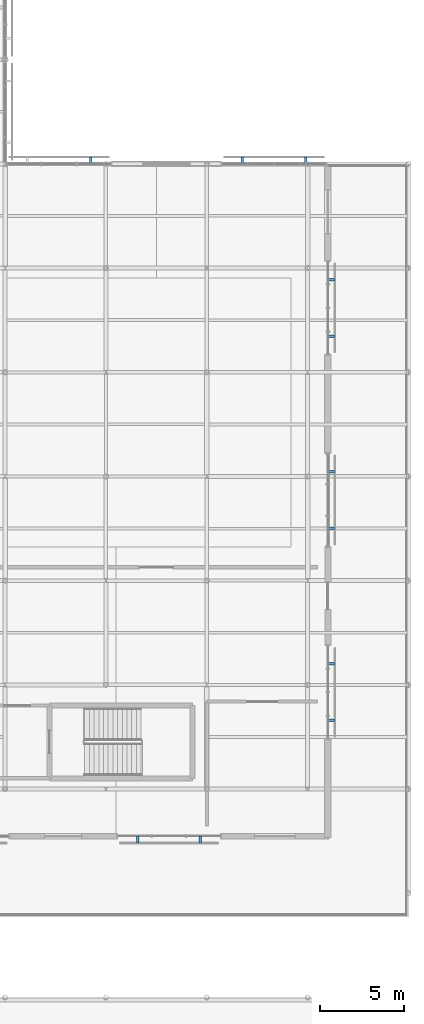
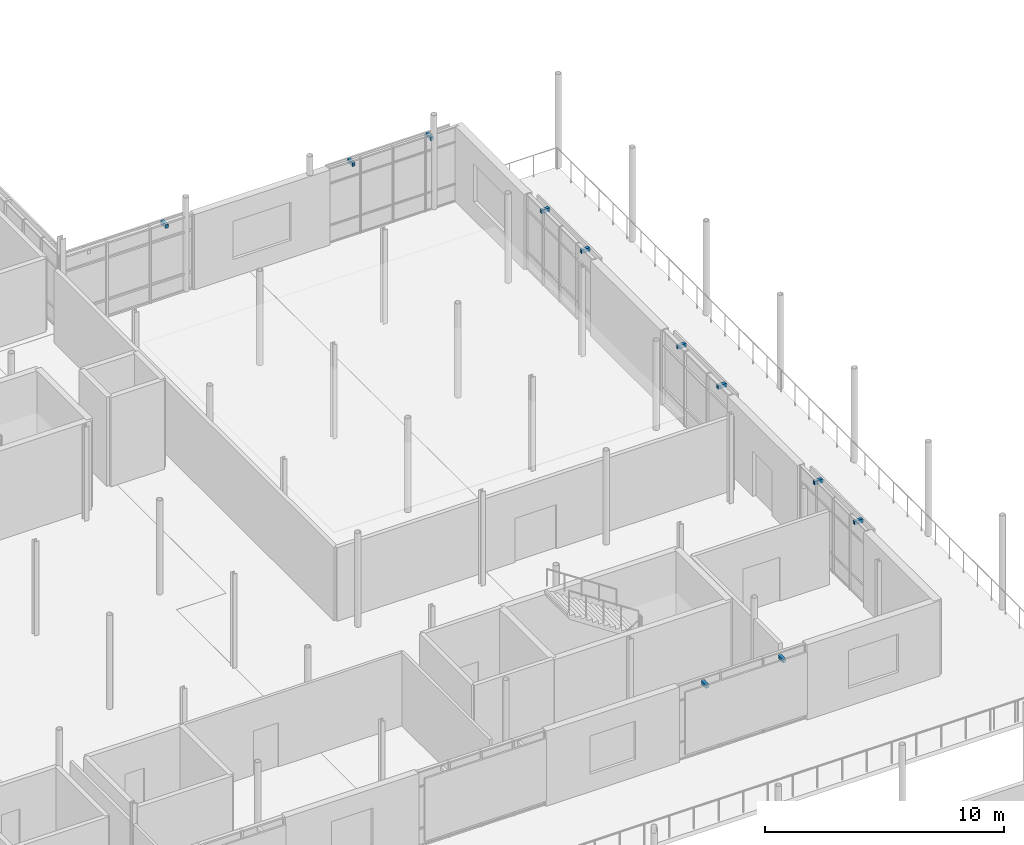
# One storey, part 55 of 66: 11 discrete accessories.
"""IFC4 building model written with IfcOpenShell, lengths in metres."""

from ifc_helpers import new_model, si_unit, direction, frame, origin, origin_2d, place, context, subcontext, project, spatial, rectangle, extrude, material, type_object, element, save


model = new_model("IFC4")

# Units and contexts
model_context = context("Model", 3, precision=1e-05, world=origin(), true_north=direction((0.0, 1.0)))
body_context = subcontext(model_context, "Body", "Model", "MODEL_VIEW")
ifc_project = project(units=[si_unit("LENGTHUNIT", "METRE"), si_unit("AREAUNIT", "SQUARE_METRE"), si_unit("VOLUMEUNIT", "CUBIC_METRE"), si_unit("PLANEANGLEUNIT", "RADIAN"), si_unit("MASSUNIT", "GRAM", prefix="KILO")], contexts=[model_context])

# Site, building, storey
site_placement = place(None, origin())
site = spatial("IfcSite", under=ifc_project, at=site_placement, CompositionType="ELEMENT")
building_placement = place(site_placement, origin())
building = spatial("IfcBuilding", under=site, at=building_placement, Name="Mirzam Square Science Centre", CompositionType="ELEMENT")
storey_placement = place(building_placement, frame((0.0, 0.0, 15.60009765625)))
storey = spatial("IfcBuildingStorey", under=building, at=storey_placement, Name="L03", CompositionType="ELEMENT", Elevation=15.60009765625)

# Discrete accessories
ifc_material = material(Name="Steel S355", Category="steel")
discrete_accessory_type = type_object("IfcDiscreteAccessoryType", Name="BRK-BRISE-STEEL", PredefinedType="BRACKET", material=ifc_material)
for number, where, z_axis, x_axis, name in (
    (1, (145.89306640625, 46.610107421875, 3.5), (0.0, 0.0, 1.0), (1.0, 0.0, 0.0), "L03 brise-soleil support bracket 116"),
    (2, (149.60693359375, 46.610107421875, 3.5), (0.0, 0.0, 1.0), (1.0, 0.0, 0.0), "L03 brise-soleil support bracket 116"),
    (3, (157.389892578125, 53.690185546875, 3.5), (0.0, 0.0, 1.0), (0.0, 1.0, 0.0), "L03 brise-soleil support bracket 117"),
    (4, (157.389892578125, 57.052734375, 3.5), (0.0, 0.0, 1.0), (0.0, 1.0, 0.0), "L03 brise-soleil support bracket 117"),
    (5, (157.389892578125, 65.11865234375, 3.5), (0.0, 0.0, 1.0), (0.0, 1.0, 0.0), "L03 brise-soleil support bracket 118"),
    (6, (157.389892578125, 68.481201171875, 3.5), (0.0, 0.0, 1.0), (0.0, 1.0, 0.0), "L03 brise-soleil support bracket 118"),
    (7, (157.389892578125, 76.54736328125, 3.5), (0.0, 0.0, 1.0), (0.0, 1.0, 0.0), "L03 brise-soleil support bracket 119"),
    (8, (157.389892578125, 79.909912109375, 3.5), (0.0, 0.0, 1.0), (0.0, 1.0, 0.0), "L03 brise-soleil support bracket 119"),
    (9, (155.886962890625, 86.989990234375, 3.5), (0.0, 0.0, 1.0), (-1.0, 0.0, 0.0), "L03 brise-soleil support bracket 120"),
    (10, (152.113037109375, 86.989990234375, 3.5), (0.0, 0.0, 1.0), (-1.0, 0.0, 0.0), "L03 brise-soleil support bracket 120"),
    (11, (143.0869140625, 86.989990234375, 3.5), (0.0, 0.0, 1.0), (-1.0, 0.0, 0.0), "L03 brise-soleil support bracket 121"),
):
    element("IfcDiscreteAccessory", number, at=place(storey_placement, frame(where, z_axis=z_axis, x_axis=x_axis)), inside=storey, type_object=discrete_accessory_type, Name=name, PredefinedType="BRACKET", context=body_context, shape_type="SweptSolid", body=[
        extrude(rectangle(XDim=0.139892578125, YDim=0.419921875, at=origin_2d()), origin(), (0.0, 0.0, 1.0), 0.179931640625),
    ])

save(model, "model.ifc")
